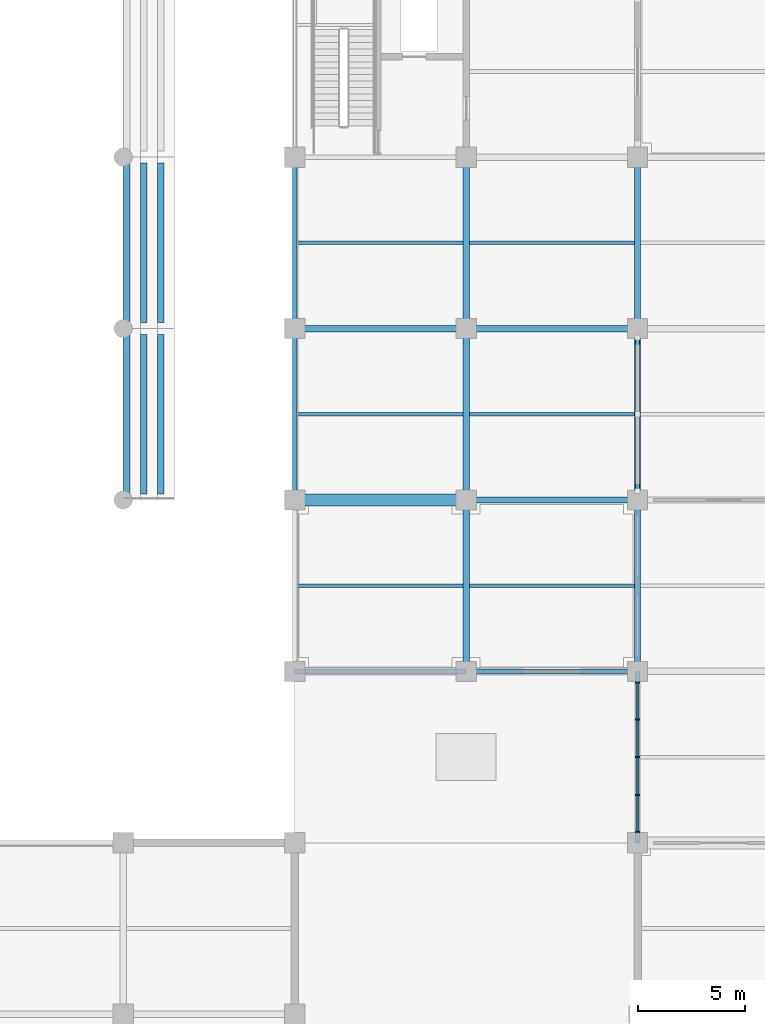
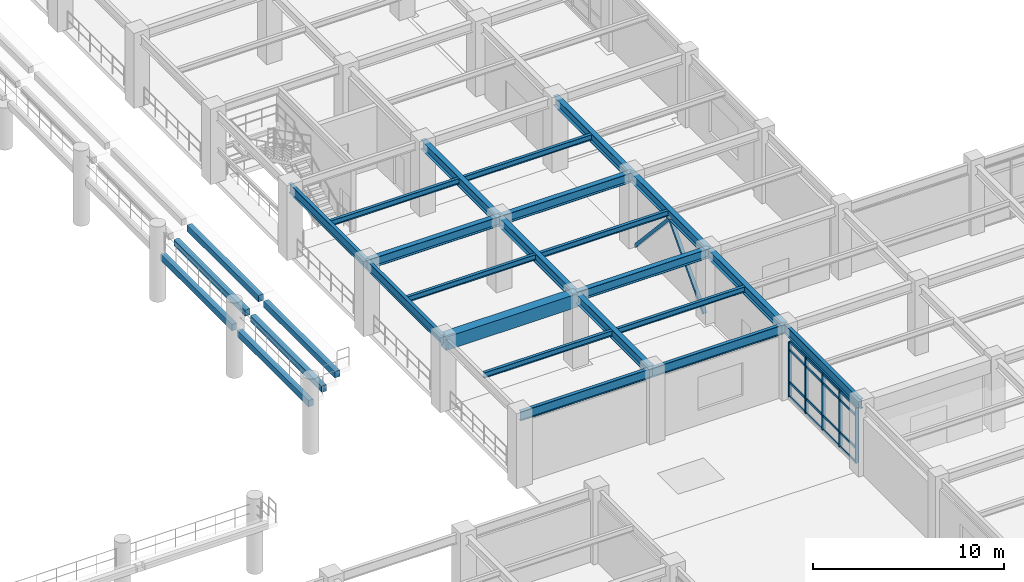
# One storey, part 23 of 109: 27 beams, 23 members, 1 element without a shape of its own.
"""IFC4 building model written with IfcOpenShell, lengths in metres."""

import ifcopenshell
import ifcopenshell.guid

model = None  # the IFC model being written
_history = None  # IfcOwnerHistory: only IFC2X3 demands one
_inside = {}  # id of a spatial element -> (the spatial element, [elements in it])
_under = {}  # id of a project, library or spatial element -> (it, [spatial elements below it])
_declared = {}  # id of a project -> (the project, [libraries it declares])
_typed = {}  # id of a type object -> (the type object, [elements of that type])
_made_of = {}  # id of a material, layer set ... -> (it, [elements and type objects made of it])


def new_model(schema):
    """Start an empty IFC model of exactly this schema.

    Asked for "IFC4X3", IfcOpenShell would pick the latest addendum, in which some entities
    have other attributes; the version numbers below select the first issue.
    IFC2X3 requires an IfcOwnerHistory on every rooted entity: one is made here for all.
    """
    global model, _history
    if schema == "IFC4X3":
        model = ifcopenshell.file(schema_version=(4, 3, 0, 0))
    else:
        model = ifcopenshell.file(schema=schema)
    _inside.clear()
    _under.clear()
    _declared.clear()
    _typed.clear()
    _made_of.clear()
    _history = None
    if model.schema == "IFC2X3":
        org = make("IfcOrganization", Name="unknown")
        user = make(
            "IfcPersonAndOrganization",
            ThePerson=make("IfcPerson", FamilyName="unknown"),
            TheOrganization=org,
        )
        app = make(
            "IfcApplication",
            ApplicationDeveloper=org,
            Version="unknown",
            ApplicationFullName="unknown",
            ApplicationIdentifier="unknown",
        )
        _history = make(
            "IfcOwnerHistory",
            OwningUser=user,
            OwningApplication=app,
            ChangeAction="ADDED",
            CreationDate=0,
        )
    return model


def make(cls, **values):
    """One entity of the class cls with the attributes given. An attribute that is None is left unset."""
    return model.create_entity(
        cls, **{name: value for name, value in values.items() if value is not None}
    )


def rooted(cls, **values):
    """An entity with a GlobalId (a new one), such as an element, a storey or a relation."""
    return make(cls, GlobalId=ifcopenshell.guid.new(), OwnerHistory=_history, **values)


def si_unit(unit_type, name, prefix=None):
    """IfcSIUnit, for example si_unit("LENGTHUNIT", "METRE", prefix="MILLI")."""
    return make("IfcSIUnit", UnitType=unit_type, Prefix=prefix, Name=name)


def assignment(units):
    """IfcUnitAssignment: the units of a project."""
    return None if units is None else make("IfcUnitAssignment", Units=units)


def point(xyz):
    """IfcCartesianPoint."""
    return None if xyz is None else make("IfcCartesianPoint", Coordinates=xyz)


def direction(xyz):
    """IfcDirection."""
    return None if xyz is None else make("IfcDirection", DirectionRatios=xyz)


def frame(location, z_axis=None, x_axis=None):
    """IfcAxis2Placement3D, a coordinate frame: its origin and axes. An axis left out is left unset."""
    return make(
        "IfcAxis2Placement3D",
        Location=point(location),
        Axis=direction(z_axis),
        RefDirection=direction(x_axis),
    )


def frame_2d(location, x_axis=None):
    """IfcAxis2Placement2D, a coordinate frame in the plane: its origin and x axis."""
    return make(
        "IfcAxis2Placement2D", Location=point(location), RefDirection=direction(x_axis)
    )


def origin():
    """The frame at (0, 0, 0) with its axes left unset."""
    return frame((0.0, 0.0, 0.0))


def origin_2d():
    """The frame at (0, 0) in the plane with its x axis left unset."""
    return frame_2d((0.0, 0.0))


def place(relative_to, where):
    """IfcLocalPlacement: puts the frame where relative to a parent placement (None: the world)."""
    return make(
        "IfcLocalPlacement", PlacementRelTo=relative_to, RelativePlacement=where
    )


def context(
    kind, dimensions, precision=None, world=None, true_north=None, identifier=None
):
    """IfcGeometricRepresentationContext, for example the 3D "Model" context."""
    return make(
        "IfcGeometricRepresentationContext",
        ContextIdentifier=identifier,
        ContextType=kind,
        CoordinateSpaceDimension=dimensions,
        Precision=precision,
        WorldCoordinateSystem=world,
        TrueNorth=true_north,
    )


def subcontext(parent, identifier, kind, view, scale=None):
    """IfcGeometricRepresentationSubContext, for example "Body" below "Model"."""
    return make(
        "IfcGeometricRepresentationSubContext",
        ContextIdentifier=identifier,
        ContextType=kind,
        ParentContext=parent,
        TargetScale=scale,
        TargetView=view,
    )


def project(units=None, contexts=None):
    """IfcProject with its units and contexts."""
    return rooted(
        "IfcProject",
        Name="project",
        RepresentationContexts=contexts,
        UnitsInContext=assignment(units),
    )


def spatial(cls, under=None, at=None, **own):
    """A site, building, storey or space (cls), placed at a placement, below another one or the project."""
    s = rooted(cls, ObjectPlacement=at, **own)
    if under is not None:
        _under.setdefault(under.id(), (under, []))[1].append(s)
    return s


def profile(cls, at=None, kind="AREA", **sizes):
    """A parametric profile (cls). Its sizes go by their IFC names, for example OverallWidth=200.0."""
    return make(cls, ProfileType=kind, Position=at, **sizes)


def rectangle(**sizes):
    """IfcRectangleProfileDef."""
    return profile("IfcRectangleProfileDef", **sizes)


def hollow_rectangle(**sizes):
    """IfcRectangleHollowProfileDef."""
    return profile("IfcRectangleHollowProfileDef", **sizes)


def i_section(**sizes):
    """IfcIShapeProfileDef."""
    return profile("IfcIShapeProfileDef", **sizes)


def extrude(swept, where, along, depth):
    """IfcExtrudedAreaSolid: the profile swept, set in the frame where, extruded along a direction by depth."""
    return make(
        "IfcExtrudedAreaSolid",
        SweptArea=swept,
        Position=where,
        ExtrudedDirection=direction(along),
        Depth=depth,
    )


def shape(context_of_items, identifier, shape_type, items):
    """IfcShapeRepresentation: the items that make up one representation, for example the "Body"."""
    return make(
        "IfcShapeRepresentation",
        ContextOfItems=context_of_items,
        RepresentationIdentifier=identifier,
        RepresentationType=shape_type,
        Items=items,
    )


def material(Name=None, Category=None):
    """IfcMaterial."""
    return make("IfcMaterial", Name=Name, Category=Category)


def layer(
    of_material, thickness, ventilated=None, Name=None, Category=None, Priority=None
):
    """IfcMaterialLayer: one layer of a wall or slab, of a material (None: an air gap)."""
    return make(
        "IfcMaterialLayer",
        Material=of_material,
        LayerThickness=thickness,
        IsVentilated=ventilated,
        Name=Name,
        Category=Category,
        Priority=Priority,
    )


def layer_set(layers, Name=None):
    """IfcMaterialLayerSet."""
    return make("IfcMaterialLayerSet", MaterialLayers=layers, LayerSetName=Name)


def material_profile(
    of_material, cross_section, Name=None, Category=None, Priority=None
):
    """IfcMaterialProfile: a cross section and its material."""
    return make(
        "IfcMaterialProfile",
        Name=Name,
        Material=of_material,
        Profile=cross_section,
        Priority=Priority,
        Category=Category,
    )


def profile_set(profiles, Name=None, composite=None):
    """IfcMaterialProfileSet."""
    return make(
        "IfcMaterialProfileSet",
        Name=Name,
        MaterialProfiles=profiles,
        CompositeProfile=composite,
    )


def made_of(thing, what):
    """Note that an element or type object is made of a material, layer set ...; save() writes the relation."""
    if what is not None:
        _made_of.setdefault(what.id(), (what, []))[1].append(thing)
    return thing


def type_object(cls, material=None, **own):
    """A type object (cls), such as IfcWallType, which elements share."""
    return made_of(rooted(cls, **own), material)


def element(
    cls,
    number,
    at=None,
    inside=None,
    cuts=None,
    type_object=None,
    material=None,
    context=None,
    identifier="Body",
    shape_type=None,
    held_by="IfcProductDefinitionShape",
    body=None,
    shapes=None,
    **own,
):
    """One element of the class cls, such as IfcWall. Its Tag is "e" and its number.

    at: its placement. inside: the storey or other place that contains it. cuts: it is an
    opening in that element (IfcRelVoidsElement). A single representation is given by context,
    identifier, shape_type and body (its items); several are given by shapes. held_by: the class
    of the entity that holds the representations. save() writes the other relations.
    """
    e = rooted(cls, Tag="e%d" % number, ObjectPlacement=at, **own)
    if body is not None:
        shapes = [shape(context, identifier, shape_type, body)]
    if shapes is not None:
        e.Representation = make(held_by, Representations=shapes)
    if inside is not None:
        _inside.setdefault(inside.id(), (inside, []))[1].append(e)
    if cuts is not None:
        rooted(
            "IfcRelVoidsElement", RelatingBuildingElement=cuts, RelatedOpeningElement=e
        )
    if type_object is not None:
        _typed.setdefault(type_object.id(), (type_object, []))[1].append(e)
    return made_of(e, material)


def aggregate(whole, parts):
    """IfcRelAggregates: a whole, such as a stair, and the parts it consists of."""
    return rooted("IfcRelAggregates", RelatingObject=whole, RelatedObjects=parts)


def save(model, path):
    """Write the relations noted so far, then the file.

    IfcRelAggregates (storeys below a building ...), IfcRelContainedInSpatialStructure (elements
    in a storey), IfcRelDefinesByType, IfcRelAssociatesMaterial and IfcRelDeclares: one each for
    every whole, place, type object, material and project.
    """
    for whole, parts in _under.values():
        aggregate(whole, parts)
    for where, things in _inside.values():
        rooted(
            "IfcRelContainedInSpatialStructure",
            RelatedElements=things,
            RelatingStructure=where,
        )
    for kind, things in _typed.values():
        rooted("IfcRelDefinesByType", RelatedObjects=things, RelatingType=kind)
    for what, things in _made_of.values():
        rooted("IfcRelAssociatesMaterial", RelatedObjects=things, RelatingMaterial=what)
    for by, libraries in _declared.values():
        rooted("IfcRelDeclares", RelatingContext=by, RelatedDefinitions=libraries)
    model.write(path)


model = new_model("IFC4")

# Units and contexts
model_context = context("Model", 3, precision=1e-05, world=origin(), true_north=direction((0.0, 1.0)))
body_context = subcontext(model_context, "Body", "Model", "MODEL_VIEW")
ifc_project = project(units=[si_unit("LENGTHUNIT", "METRE"), si_unit("AREAUNIT", "SQUARE_METRE"), si_unit("VOLUMEUNIT", "CUBIC_METRE"), si_unit("PLANEANGLEUNIT", "RADIAN"), si_unit("MASSUNIT", "GRAM", prefix="KILO")], contexts=[model_context])

# Site, building, storey
site_placement = place(None, origin())
site = spatial("IfcSite", under=ifc_project, at=site_placement, CompositionType="ELEMENT")
building_placement = place(site_placement, origin())
building = spatial("IfcBuilding", under=site, at=building_placement, Name="Haebicheon Civic Stadium", CompositionType="ELEMENT")
storey_placement = place(building_placement, frame((0.0, 0.0, 9.60009765625)))
storey = spatial("IfcBuildingStorey", under=building, at=storey_placement, Name="L03", CompositionType="ELEMENT", Elevation=9.60009765625)

# Beams
ifc_material_1 = material(Name="Precast concrete C40/50", Category="concrete")
ifc_material_profile_1 = material_profile(ifc_material_1, rectangle(XDim=0.300048828125, YDim=0.39990234375, at=origin_2d()), Name="PC-LN-300x400")
ifc_profile_set_1 = profile_set([ifc_material_profile_1], Name="Precast concrete C40/50")
beam_type_1 = type_object("IfcBeamType", Name="BM-LN-300x400", PredefinedType="LINTEL", material=ifc_profile_set_1)
for number, where, z_axis, x_axis, name in (
    (1, (136.159912109375, 48.280029296875, 2.760009765625), (0.0, 1.0, 0.0), (-1.0, 0.0, 0.0), "TIER-E-U precast step carrier beam 1.1"),
    (2, (136.9599609375, 48.280029296875, 3.40380859375), (0.0, 1.0, 0.0), (-1.0, 0.0, 0.0), "TIER-E-U precast step carrier beam 1.2"),
    (3, (137.760009765625, 48.280029296875, 4.048828125), (0.0, 1.0, 0.0), (-1.0, 0.0, 0.0), "TIER-E-U precast step carrier beam 1.3"),
    (4, (136.159912109375, 56.280029296875, 2.760009765625), (0.0, 1.0, 0.0), (-1.0, 0.0, 0.0), "TIER-E-U precast step carrier beam 2.1"),
    (5, (136.9599609375, 56.280029296875, 3.40380859375), (0.0, 1.0, 0.0), (-1.0, 0.0, 0.0), "TIER-E-U precast step carrier beam 2.2"),
    (6, (137.760009765625, 56.280029296875, 4.048828125), (0.0, 1.0, 0.0), (-1.0, 0.0, 0.0), "TIER-E-U precast step carrier beam 2.3"),
):
    element("IfcBeam", number, at=place(storey_placement, frame(where, z_axis=z_axis, x_axis=x_axis)), inside=storey, type_object=beam_type_1, material=ifc_profile_set_1, Name=name, PredefinedType="LINTEL", context=body_context, shape_type="SweptSolid", body=[
        extrude(rectangle(XDim=0.300048828125, YDim=0.39990234375, at=origin_2d()), origin(), (0.0, 0.0, 1.0), 7.43994140625),
    ])
ifc_material_2 = material(Name="Concrete C40/50", Category="concrete")
ifc_material_profile_2 = material_profile(ifc_material_2, rectangle(XDim=0.550048828125, YDim=0.85009765625, at=origin_2d()), Name="RC-BM-550x850")
ifc_profile_set_2 = profile_set([ifc_material_profile_2], Name="Concrete C40/50")
beam_type_2 = type_object("IfcBeamType", Name="BM-RC-550x850", PredefinedType="BEAM", material=ifc_profile_set_2)
beam_placement = place(storey_placement, frame((144.0, 48.0, 4.114990234375), z_axis=(1.0, 0.0, 0.0), x_axis=(0.0, 1.0, 0.0)))
element("IfcBeam", 7, at=beam_placement, inside=storey, type_object=beam_type_2, material=ifc_profile_set_2, Name="L03 beam G/19-20", PredefinedType="BEAM", context=body_context, shape_type="SweptSolid", body=[
    extrude(rectangle(XDim=0.550048828125, YDim=0.85009765625, at=origin_2d()), origin(), (0.0, 0.0, 1.0), 8.0),
])
ifc_material_3 = material(Name="Steel SM355 (S355)", Category="steel")
ifc_material_profile_3 = material_profile(ifc_material_3, i_section(OverallWidth=0.300048828125, OverallDepth=0.60009765625, WebThickness=0.011962890625, FlangeThickness=0.02001953125, at=origin_2d()), Name="H-600x300x12x20")
ifc_profile_set_3 = profile_set([ifc_material_profile_3], Name="Steel SM355 (S355)")
beam_type_3 = type_object("IfcBeamType", Name="BM-ST-H600A", PredefinedType="BEAM", material=ifc_profile_set_3)
for number, where, z_axis, x_axis, name in (
    (8, (152.0, 40.0, 4.239990234375), (0.0, 1.0, 0.0), (-1.0, 0.0, 0.0), "L03 girder 20/F-G"),
    (9, (152.0, 48.0, 4.239990234375), (0.0, 1.0, 0.0), (-1.0, 0.0, 0.0), "L03 girder 20/G-H"),
    (10, (152.0, 56.0, 4.239990234375), (0.0, 1.0, 0.0), (-1.0, 0.0, 0.0), "L03 girder 20/H-J"),
    (11, (160.0, 40.0, 4.239990234375), (0.0, 1.0, 0.0), (-1.0, 0.0, 0.0), "L03 girder 21/F-G"),
    (12, (160.0, 48.0, 4.239990234375), (0.0, 1.0, 0.0), (-1.0, 0.0, 0.0), "L03 girder 21/G-H"),
    (13, (160.0, 56.0, 4.239990234375), (0.0, 1.0, 0.0), (-1.0, 0.0, 0.0), "L03 girder 21/H-J"),
    (14, (144.0, 56.0, 4.239990234375), (1.0, 0.0, 0.0), (0.0, 1.0, 0.0), "L03 beam H/19-20"),
    (15, (152.0, 48.0, 4.239990234375), (1.0, 0.0, 0.0), (0.0, 1.0, 0.0), "L03 beam G/20-21"),
    (16, (152.0, 56.0, 4.239990234375), (1.0, 0.0, 0.0), (0.0, 1.0, 0.0), "L03 beam H/20-21"),
):
    element("IfcBeam", number, at=place(storey_placement, frame(where, z_axis=z_axis, x_axis=x_axis)), inside=storey, type_object=beam_type_3, material=ifc_profile_set_3, Name=name, PredefinedType="BEAM", context=body_context, shape_type="SweptSolid", body=[
        extrude(i_section(OverallWidth=0.300048828125, OverallDepth=0.60009765625, WebThickness=0.011962890625, FlangeThickness=0.02001953125, at=origin_2d()), origin(), (0.0, 0.0, 1.0), 8.0),
    ])

# Members
ifc_material_4 = material(Name="Steel SM355 (S355)", Category="steel")
ifc_material_profile_4 = material_profile(ifc_material_4, hollow_rectangle(XDim=0.199951171875, YDim=0.199951171875, WallThickness=0.009033203125, at=origin_2d()), Name="RHS-200x200x9.0")
ifc_profile_set_4 = profile_set([ifc_material_profile_4], Name="Steel SM355 (S355)")
member_type_1 = type_object("IfcMemberType", Name="BRC-RHS200", PredefinedType="BRACE", material=ifc_profile_set_4)
for number, where, z_axis, x_axis, name in (
    (17, (160.0, 48.419921875, 0.039794921875), (0.0, 0.676231908598, 0.736688812046), (-1.0, 0.0, 0.0), "BR200 chevron brace L03 19-06 A"),
    (18, (160.0, 55.580078125, 0.039794921875), (0.0, -0.676231908598, 0.736688812046), (1.0, 0.0, 0.0), "BR200 chevron brace L03 19-06 B"),
):
    element("IfcMember", number, at=place(storey_placement, frame(where, z_axis=z_axis, x_axis=x_axis)), inside=storey, type_object=member_type_1, material=ifc_profile_set_4, Name=name, PredefinedType="BRACE", context=body_context, shape_type="SweptSolid", body=[
        extrude(hollow_rectangle(XDim=0.199951171875, YDim=0.199951171875, WallThickness=0.009033203125, at=origin_2d()), origin(), (0.0, 0.0, 1.0), 5.294189453125),
    ])

# Curtain wall, members
ifc_material_5 = material(Name="Anodised aluminium and laminated glass", Category="aluminium")
ifc_layer = layer(ifc_material_5, 0.179931640625, Name="Anodised aluminium and laminated glass")
ifc_layer_set = layer_set([ifc_layer], Name="Anodised aluminium and laminated glass")
curtain_wall_type = type_object("IfcCurtainWallType", Name="CW-7050x3520", PredefinedType="NOTDEFINED", material=ifc_layer_set)
curtain_wall_placement = place(storey_placement, origin())
curtain_wall = element("IfcCurtainWall", 19, at=curtain_wall_placement, inside=storey, type_object=curtain_wall_type, material=ifc_layer_set, Name="L03 unitised curtain wall 087", PredefinedType="NOTDEFINED")
ifc_material_6 = material(Name="Anodised aluminium 6063-T6", Category="aluminium")
ifc_material_profile_5 = material_profile(ifc_material_6, rectangle(XDim=0.070068359375, YDim=0.199951171875, at=origin_2d()), Name="ALU-MULL-70x200")
ifc_profile_set_5 = profile_set([ifc_material_profile_5], Name="Anodised aluminium 6063-T6")
member_type_2 = type_object("IfcMemberType", Name="CWM-200x70", PredefinedType="MULLION", material=ifc_profile_set_5)
member_1_placement = place(storey_placement, frame((160.0, 32.510009765625, 0.159912109375), z_axis=(0.0, 0.0, 1.0), x_axis=(0.0, 1.0, 0.0)))
member_1 = element("IfcMember", 20, at=member_1_placement, type_object=member_type_2, material=ifc_profile_set_5, Name="CW-L03-087 vertical mullion 1", PredefinedType="MULLION", context=body_context, shape_type="SweptSolid", body=[
    extrude(rectangle(XDim=0.070068359375, YDim=0.199951171875, at=origin_2d()), origin(), (0.0, 0.0, 1.0), 3.52001953125),
])
member_2_placement = place(storey_placement, frame((160.0, 34.237060546875, 0.159912109375), z_axis=(0.0, 0.0, 1.0), x_axis=(0.0, 1.0, 0.0)))
member_2 = element("IfcMember", 21, at=member_2_placement, type_object=member_type_2, material=ifc_profile_set_5, Name="CW-L03-087 vertical mullion 2", PredefinedType="MULLION", context=body_context, shape_type="SweptSolid", body=[
    extrude(rectangle(XDim=0.070068359375, YDim=0.199951171875, at=origin_2d()), origin(), (0.0, 0.0, 1.0), 3.52001953125),
])
member_3_placement = place(storey_placement, frame((160.0, 36.0, 0.159912109375), z_axis=(0.0, 0.0, 1.0), x_axis=(0.0, 1.0, 0.0)))
member_3 = element("IfcMember", 22, at=member_3_placement, type_object=member_type_2, material=ifc_profile_set_5, Name="CW-L03-087 vertical mullion 3", PredefinedType="MULLION", context=body_context, shape_type="SweptSolid", body=[
    extrude(rectangle(XDim=0.070068359375, YDim=0.199951171875, at=origin_2d()), origin(), (0.0, 0.0, 1.0), 3.52001953125),
])
member_4_placement = place(storey_placement, frame((160.0, 37.762939453125, 0.159912109375), z_axis=(0.0, 0.0, 1.0), x_axis=(0.0, 1.0, 0.0)))
member_4 = element("IfcMember", 23, at=member_4_placement, type_object=member_type_2, material=ifc_profile_set_5, Name="CW-L03-087 vertical mullion 4", PredefinedType="MULLION", context=body_context, shape_type="SweptSolid", body=[
    extrude(rectangle(XDim=0.070068359375, YDim=0.199951171875, at=origin_2d()), origin(), (0.0, 0.0, 1.0), 3.52001953125),
])
member_5_placement = place(storey_placement, frame((160.0, 39.489990234375, 0.159912109375), z_axis=(0.0, 0.0, 1.0), x_axis=(0.0, 1.0, 0.0)))
member_5 = element("IfcMember", 24, at=member_5_placement, type_object=member_type_2, material=ifc_profile_set_5, Name="CW-L03-087 vertical mullion 5", PredefinedType="MULLION", context=body_context, shape_type="SweptSolid", body=[
    extrude(rectangle(XDim=0.070068359375, YDim=0.199951171875, at=origin_2d()), origin(), (0.0, 0.0, 1.0), 3.52001953125),
])
ifc_material_7 = material(Name="Anodised aluminium 6063-T6", Category="aluminium")
ifc_material_profile_6 = material_profile(ifc_material_7, rectangle(XDim=0.070068359375, YDim=0.14990234375, at=origin_2d()), Name="ALU-TRAN-70x150")
ifc_profile_set_6 = profile_set([ifc_material_profile_6], Name="Anodised aluminium 6063-T6")
member_type_3 = type_object("IfcMemberType", Name="CWT-150x70", PredefinedType="NOTDEFINED", material=ifc_profile_set_6)
member_6_placement = place(storey_placement, frame((160.0, 32.544921875, 0.159912109375), z_axis=(0.0, 1.0, 0.0), x_axis=(-1.0, 0.0, 0.0)))
member_6 = element("IfcMember", 25, at=member_6_placement, type_object=member_type_3, material=ifc_profile_set_6, Name="CW-L03-087 horizontal transom 1.1", ObjectType="TRANSOM", PredefinedType="USERDEFINED", context=body_context, shape_type="SweptSolid", body=[
    extrude(rectangle(XDim=0.070068359375, YDim=0.14990234375, at=origin_2d()), origin(), (0.0, 0.0, 1.0), 1.656982421875),
])
member_7_placement = place(storey_placement, frame((160.0, 32.544921875, 1.059814453125), z_axis=(0.0, 1.0, 0.0), x_axis=(-1.0, 0.0, 0.0)))
member_7 = element("IfcMember", 26, at=member_7_placement, type_object=member_type_3, material=ifc_profile_set_6, Name="CW-L03-087 horizontal transom 1.2", ObjectType="TRANSOM", PredefinedType="USERDEFINED", context=body_context, shape_type="SweptSolid", body=[
    extrude(rectangle(XDim=0.070068359375, YDim=0.14990234375, at=origin_2d()), origin(), (0.0, 0.0, 1.0), 1.656982421875),
])
member_8_placement = place(storey_placement, frame((160.0, 32.544921875, 3.1298828125), z_axis=(0.0, 1.0, 0.0), x_axis=(-1.0, 0.0, 0.0)))
member_8 = element("IfcMember", 27, at=member_8_placement, type_object=member_type_3, material=ifc_profile_set_6, Name="CW-L03-087 horizontal transom 1.3", ObjectType="TRANSOM", PredefinedType="USERDEFINED", context=body_context, shape_type="SweptSolid", body=[
    extrude(rectangle(XDim=0.070068359375, YDim=0.14990234375, at=origin_2d()), origin(), (0.0, 0.0, 1.0), 1.656982421875),
])
member_9_placement = place(storey_placement, frame((160.0, 32.544921875, 3.679931640625), z_axis=(0.0, 1.0, 0.0), x_axis=(-1.0, 0.0, 0.0)))
member_9 = element("IfcMember", 28, at=member_9_placement, type_object=member_type_3, material=ifc_profile_set_6, Name="CW-L03-087 horizontal transom 1.4", ObjectType="TRANSOM", PredefinedType="USERDEFINED", context=body_context, shape_type="SweptSolid", body=[
    extrude(rectangle(XDim=0.070068359375, YDim=0.14990234375, at=origin_2d()), origin(), (0.0, 0.0, 1.0), 1.656982421875),
])
member_10_placement = place(storey_placement, frame((160.0, 34.27197265625, 0.159912109375), z_axis=(0.0, 1.0, 0.0), x_axis=(-1.0, 0.0, 0.0)))
member_10 = element("IfcMember", 29, at=member_10_placement, type_object=member_type_3, material=ifc_profile_set_6, Name="CW-L03-087 horizontal transom 2.1", ObjectType="TRANSOM", PredefinedType="USERDEFINED", context=body_context, shape_type="SweptSolid", body=[
    extrude(rectangle(XDim=0.070068359375, YDim=0.14990234375, at=origin_2d()), origin(), (0.0, 0.0, 1.0), 1.693115234375),
])
member_11_placement = place(storey_placement, frame((160.0, 34.27197265625, 1.059814453125), z_axis=(0.0, 1.0, 0.0), x_axis=(-1.0, 0.0, 0.0)))
member_11 = element("IfcMember", 30, at=member_11_placement, type_object=member_type_3, material=ifc_profile_set_6, Name="CW-L03-087 horizontal transom 2.2", ObjectType="TRANSOM", PredefinedType="USERDEFINED", context=body_context, shape_type="SweptSolid", body=[
    extrude(rectangle(XDim=0.070068359375, YDim=0.14990234375, at=origin_2d()), origin(), (0.0, 0.0, 1.0), 1.693115234375),
])
member_12_placement = place(storey_placement, frame((160.0, 34.27197265625, 3.1298828125), z_axis=(0.0, 1.0, 0.0), x_axis=(-1.0, 0.0, 0.0)))
member_12 = element("IfcMember", 31, at=member_12_placement, type_object=member_type_3, material=ifc_profile_set_6, Name="CW-L03-087 horizontal transom 2.3", ObjectType="TRANSOM", PredefinedType="USERDEFINED", context=body_context, shape_type="SweptSolid", body=[
    extrude(rectangle(XDim=0.070068359375, YDim=0.14990234375, at=origin_2d()), origin(), (0.0, 0.0, 1.0), 1.693115234375),
])
member_13_placement = place(storey_placement, frame((160.0, 34.27197265625, 3.679931640625), z_axis=(0.0, 1.0, 0.0), x_axis=(-1.0, 0.0, 0.0)))
member_13 = element("IfcMember", 32, at=member_13_placement, type_object=member_type_3, material=ifc_profile_set_6, Name="CW-L03-087 horizontal transom 2.4", ObjectType="TRANSOM", PredefinedType="USERDEFINED", context=body_context, shape_type="SweptSolid", body=[
    extrude(rectangle(XDim=0.070068359375, YDim=0.14990234375, at=origin_2d()), origin(), (0.0, 0.0, 1.0), 1.693115234375),
])
member_14_placement = place(storey_placement, frame((160.0, 36.034912109375, 0.159912109375), z_axis=(0.0, 1.0, 0.0), x_axis=(-1.0, 0.0, 0.0)))
member_14 = element("IfcMember", 33, at=member_14_placement, type_object=member_type_3, material=ifc_profile_set_6, Name="CW-L03-087 horizontal transom 3.1", ObjectType="TRANSOM", PredefinedType="USERDEFINED", context=body_context, shape_type="SweptSolid", body=[
    extrude(rectangle(XDim=0.070068359375, YDim=0.14990234375, at=origin_2d()), origin(), (0.0, 0.0, 1.0), 1.693115234375),
])
member_15_placement = place(storey_placement, frame((160.0, 36.034912109375, 1.059814453125), z_axis=(0.0, 1.0, 0.0), x_axis=(-1.0, 0.0, 0.0)))
member_15 = element("IfcMember", 34, at=member_15_placement, type_object=member_type_3, material=ifc_profile_set_6, Name="CW-L03-087 horizontal transom 3.2", ObjectType="TRANSOM", PredefinedType="USERDEFINED", context=body_context, shape_type="SweptSolid", body=[
    extrude(rectangle(XDim=0.070068359375, YDim=0.14990234375, at=origin_2d()), origin(), (0.0, 0.0, 1.0), 1.693115234375),
])
member_16_placement = place(storey_placement, frame((160.0, 36.034912109375, 3.1298828125), z_axis=(0.0, 1.0, 0.0), x_axis=(-1.0, 0.0, 0.0)))
member_16 = element("IfcMember", 35, at=member_16_placement, type_object=member_type_3, material=ifc_profile_set_6, Name="CW-L03-087 horizontal transom 3.3", ObjectType="TRANSOM", PredefinedType="USERDEFINED", context=body_context, shape_type="SweptSolid", body=[
    extrude(rectangle(XDim=0.070068359375, YDim=0.14990234375, at=origin_2d()), origin(), (0.0, 0.0, 1.0), 1.693115234375),
])
member_17_placement = place(storey_placement, frame((160.0, 36.034912109375, 3.679931640625), z_axis=(0.0, 1.0, 0.0), x_axis=(-1.0, 0.0, 0.0)))
member_17 = element("IfcMember", 36, at=member_17_placement, type_object=member_type_3, material=ifc_profile_set_6, Name="CW-L03-087 horizontal transom 3.4", ObjectType="TRANSOM", PredefinedType="USERDEFINED", context=body_context, shape_type="SweptSolid", body=[
    extrude(rectangle(XDim=0.070068359375, YDim=0.14990234375, at=origin_2d()), origin(), (0.0, 0.0, 1.0), 1.693115234375),
])
member_18_placement = place(storey_placement, frame((160.0, 37.798095703125, 0.159912109375), z_axis=(0.0, 1.0, 0.0), x_axis=(-1.0, 0.0, 0.0)))
member_18 = element("IfcMember", 37, at=member_18_placement, type_object=member_type_3, material=ifc_profile_set_6, Name="CW-L03-087 horizontal transom 4.1", ObjectType="TRANSOM", PredefinedType="USERDEFINED", context=body_context, shape_type="SweptSolid", body=[
    extrude(rectangle(XDim=0.070068359375, YDim=0.14990234375, at=origin_2d()), origin(), (0.0, 0.0, 1.0), 1.656982421875),
])
member_19_placement = place(storey_placement, frame((160.0, 37.798095703125, 1.059814453125), z_axis=(0.0, 1.0, 0.0), x_axis=(-1.0, 0.0, 0.0)))
member_19 = element("IfcMember", 38, at=member_19_placement, type_object=member_type_3, material=ifc_profile_set_6, Name="CW-L03-087 horizontal transom 4.2", ObjectType="TRANSOM", PredefinedType="USERDEFINED", context=body_context, shape_type="SweptSolid", body=[
    extrude(rectangle(XDim=0.070068359375, YDim=0.14990234375, at=origin_2d()), origin(), (0.0, 0.0, 1.0), 1.656982421875),
])
member_20_placement = place(storey_placement, frame((160.0, 37.798095703125, 3.1298828125), z_axis=(0.0, 1.0, 0.0), x_axis=(-1.0, 0.0, 0.0)))
member_20 = element("IfcMember", 39, at=member_20_placement, type_object=member_type_3, material=ifc_profile_set_6, Name="CW-L03-087 horizontal transom 4.3", ObjectType="TRANSOM", PredefinedType="USERDEFINED", context=body_context, shape_type="SweptSolid", body=[
    extrude(rectangle(XDim=0.070068359375, YDim=0.14990234375, at=origin_2d()), origin(), (0.0, 0.0, 1.0), 1.656982421875),
])
member_21_placement = place(storey_placement, frame((160.0, 37.798095703125, 3.679931640625), z_axis=(0.0, 1.0, 0.0), x_axis=(-1.0, 0.0, 0.0)))
member_21 = element("IfcMember", 40, at=member_21_placement, type_object=member_type_3, material=ifc_profile_set_6, Name="CW-L03-087 horizontal transom 4.4", ObjectType="TRANSOM", PredefinedType="USERDEFINED", context=body_context, shape_type="SweptSolid", body=[
    extrude(rectangle(XDim=0.070068359375, YDim=0.14990234375, at=origin_2d()), origin(), (0.0, 0.0, 1.0), 1.656982421875),
])
aggregate(curtain_wall, [member_1, member_2, member_3, member_4, member_5, member_6, member_7, member_8, member_9, member_10, member_11, member_12, member_13, member_14, member_15, member_16, member_17, member_18, member_19, member_20, member_21])

# Beams
ifc_material_8 = material(Name="Steel SM355 (S355)", Category="steel")
ifc_material_profile_7 = material_profile(ifc_material_8, i_section(OverallWidth=0.175048828125, OverallDepth=0.35009765625, WebThickness=0.007080078125, FlangeThickness=0.010986328125, at=origin_2d()), Name="H-350x175x7x11")
ifc_profile_set_7 = profile_set([ifc_material_profile_7], Name="Steel SM355 (S355)")
beam_type_4 = type_object("IfcBeamType", Name="JST-ST-H350", PredefinedType="JOIST", material=ifc_profile_set_7)
for number, where, z_axis, x_axis, name in (
    (41, (144.10009765625, 44.0, 4.364990234375), (1.0, 0.0, 0.0), (0.0, 1.0, 0.0), "L03 secondary joist 18-05"),
    (42, (144.10009765625, 52.0, 4.364990234375), (1.0, 0.0, 0.0), (0.0, 1.0, 0.0), "L03 secondary joist 18-06"),
    (43, (144.10009765625, 60.0, 4.364990234375), (1.0, 0.0, 0.0), (0.0, 1.0, 0.0), "L03 secondary joist 18-07"),
):
    element("IfcBeam", number, at=place(storey_placement, frame(where, z_axis=z_axis, x_axis=x_axis)), inside=storey, type_object=beam_type_4, material=ifc_profile_set_7, Name=name, PredefinedType="JOIST", context=body_context, shape_type="SweptSolid", body=[
        extrude(i_section(OverallWidth=0.175048828125, OverallDepth=0.35009765625, WebThickness=0.007080078125, FlangeThickness=0.010986328125, at=origin_2d()), origin(), (0.0, 0.0, 1.0), 7.75),
    ])
for number, where, z_axis, x_axis, name in (
    (44, (152.14990234375, 44.0, 4.364990234375), (1.0, 0.0, 0.0), (0.0, 1.0, 0.0), "L03 secondary joist 19-05"),
    (45, (152.14990234375, 52.0, 4.364990234375), (1.0, 0.0, 0.0), (0.0, 1.0, 0.0), "L03 secondary joist 19-06"),
    (46, (152.14990234375, 60.0, 4.364990234375), (1.0, 0.0, 0.0), (0.0, 1.0, 0.0), "L03 secondary joist 19-07"),
):
    element("IfcBeam", number, at=place(storey_placement, frame(where, z_axis=z_axis, x_axis=x_axis)), inside=storey, type_object=beam_type_4, material=ifc_profile_set_7, Name=name, PredefinedType="JOIST", context=body_context, shape_type="SweptSolid", body=[
        extrude(i_section(OverallWidth=0.175048828125, OverallDepth=0.35009765625, WebThickness=0.007080078125, FlangeThickness=0.010986328125, at=origin_2d()), origin(), (0.0, 0.0, 1.0), 7.7001953125),
    ])
ifc_material_9 = material(Name="Steel SM355 (S355)", Category="steel")
ifc_material_profile_8 = material_profile(ifc_material_9, i_section(OverallWidth=0.199951171875, OverallDepth=0.60009765625, WebThickness=0.010986328125, FlangeThickness=0.01708984375, at=origin_2d()), Name="H-600x200x11x17")
ifc_profile_set_8 = profile_set([ifc_material_profile_8], Name="Steel SM355 (S355)")
beam_type_5 = type_object("IfcBeamType", Name="SPD-ST-H600B", PredefinedType="SPANDREL", material=ifc_profile_set_8)
for number, where, z_axis, x_axis, name in (
    (47, (144.0, 48.0, 4.239990234375), (0.0, 1.0, 0.0), (-1.0, 0.0, 0.0), "L03 girder 19/G-H"),
    (48, (144.0, 56.0, 4.239990234375), (0.0, 1.0, 0.0), (-1.0, 0.0, 0.0), "L03 girder 19/H-J"),
    (49, (160.0, 32.0, 4.239990234375), (0.0, 1.0, 0.0), (-1.0, 0.0, 0.0), "L03 girder 21/E-F"),
    (50, (144.0, 40.0, 4.239990234375), (1.0, 0.0, 0.0), (0.0, 1.0, 0.0), "L03 beam F/19-20"),
    (51, (152.0, 40.0, 4.239990234375), (1.0, 0.0, 0.0), (0.0, 1.0, 0.0), "L03 beam F/20-21"),
):
    element("IfcBeam", number, at=place(storey_placement, frame(where, z_axis=z_axis, x_axis=x_axis)), inside=storey, type_object=beam_type_5, material=ifc_profile_set_8, Name=name, PredefinedType="SPANDREL", context=body_context, shape_type="SweptSolid", body=[
        extrude(i_section(OverallWidth=0.199951171875, OverallDepth=0.60009765625, WebThickness=0.010986328125, FlangeThickness=0.01708984375, at=origin_2d()), origin(), (0.0, 0.0, 1.0), 8.0),
    ])

save(model, "model.ifc")
